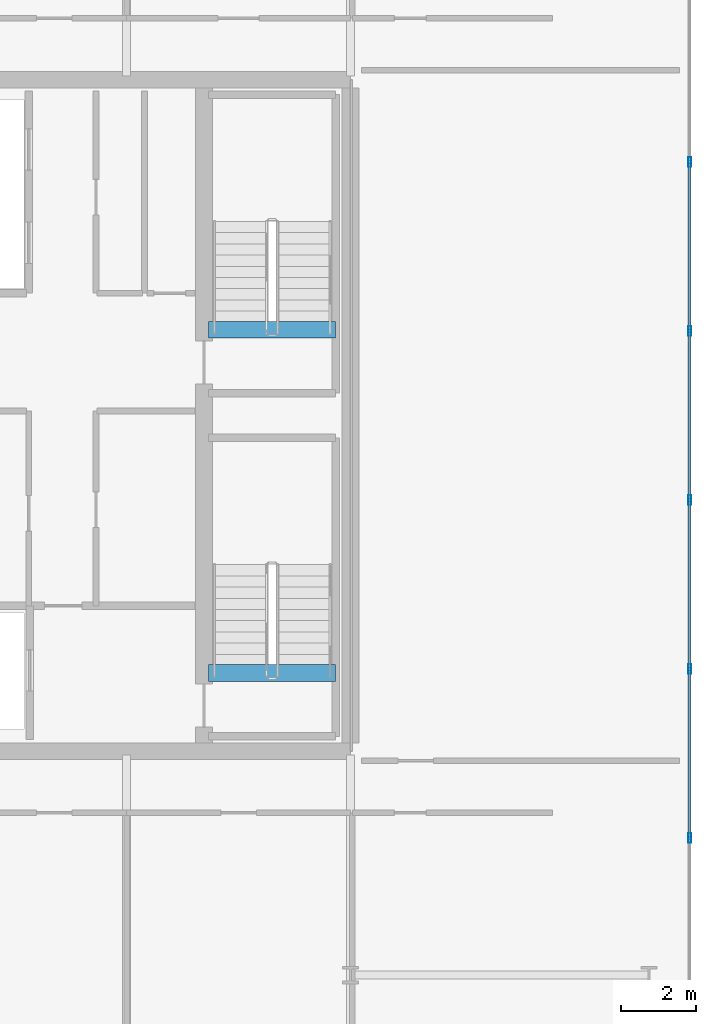
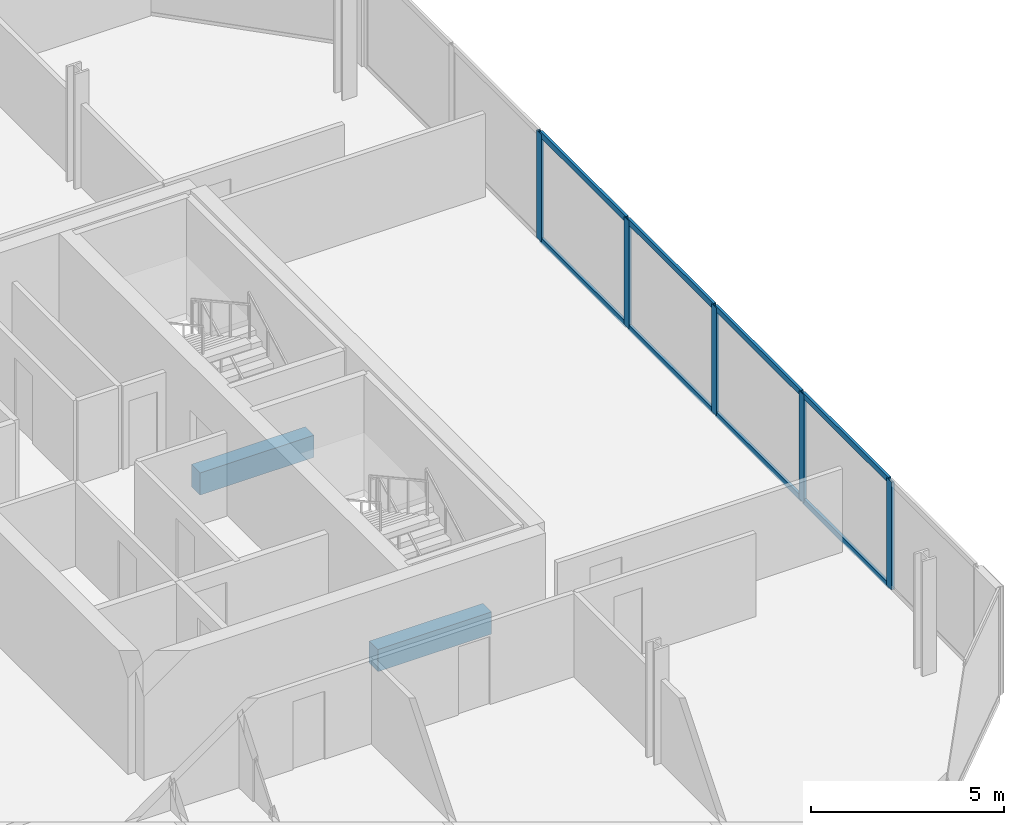
# One storey, part 10 of 19: 13 members, 2 beams, 1 element without a shape of its own.
"""IFC4 building model written with IfcOpenShell, lengths in metres."""

from ifc_helpers import new_model, si_unit, direction, frame, origin, origin_2d, place, context, subcontext, project, spatial, rectangle, hollow_rectangle, extrude, material, layer, layer_set, material_profile, profile_set, type_object, element, aggregate, save


model = new_model("IFC4")

# Units and contexts
model_context = context("Model", 3, precision=1e-05, world=origin(), true_north=direction((0.0, 1.0)))
body_context = subcontext(model_context, "Body", "Model", "MODEL_VIEW")
ifc_project = project(units=[si_unit("LENGTHUNIT", "METRE"), si_unit("AREAUNIT", "SQUARE_METRE"), si_unit("VOLUMEUNIT", "CUBIC_METRE"), si_unit("PLANEANGLEUNIT", "RADIAN"), si_unit("MASSUNIT", "GRAM", prefix="KILO")], contexts=[model_context])

# Site, building, storey
site_placement = place(None, origin())
site = spatial("IfcSite", under=ifc_project, at=site_placement, CompositionType="ELEMENT")
building_placement = place(site_placement, origin())
building = spatial("IfcBuilding", under=site, at=building_placement, Name="Tanjung Sevakor Pilgrim Tower", CompositionType="ELEMENT")
storey_placement = place(building_placement, frame((0.0, 0.0, 260.699951171875)))
storey = spatial("IfcBuildingStorey", under=building, at=storey_placement, Name="L73", CompositionType="ELEMENT", Elevation=260.699951171875)

# Beams
ifc_material_1 = material(Name="Concrete C60/75", Category="concrete")
ifc_material_profile_1 = material_profile(ifc_material_1, rectangle(XDim=0.449951171875, YDim=0.699951171875, at=origin_2d()))
ifc_profile_set_1 = profile_set([ifc_material_profile_1], Name="Concrete C60/75")
beam_type = type_object("IfcBeamType", Name="BM-B-LN3-RC-BM_450x700", PredefinedType="LINTEL", material=ifc_profile_set_1)
for number, where, z_axis, x_axis, name in (
    (1, (86.199951171875, 26.699951171875, -0.349853515625), (1.0, 0.0, 0.0), (0.0, 1.0, 0.0), "L73 TS-E1 Stair Threshold Beam"),
    (2, (86.199951171875, 35.89990234375, -0.349853515625), (1.0, 0.0, 0.0), (0.0, 1.0, 0.0), "L73 TS-E2 Stair Threshold Beam"),
):
    element("IfcBeam", number, at=place(storey_placement, frame(where, z_axis=z_axis, x_axis=x_axis)), inside=storey, type_object=beam_type, Name=name, PredefinedType="LINTEL", context=body_context, shape_type="SweptSolid", body=[
        extrude(rectangle(XDim=0.449951171875, YDim=0.699951171875, at=origin_2d()), origin(), (0.0, 0.0, 1.0), 3.400146484375),
    ])

# Curtain wall, members
ifc_material_2 = material(Name="Aluminium 6063-T6 and Low-E Glass", Category="aluminium")
ifc_layer = layer(ifc_material_2, 0.219970703125)
ifc_layer_set = layer_set([ifc_layer], Name="CW-SYS-CRNE")
curtain_wall_type = type_object("IfcCurtainWallType", Name="CW-SYS-CRNE", PredefinedType="NOTDEFINED", material=ifc_layer_set)
curtain_wall_placement = place(storey_placement, origin())
curtain_wall = element("IfcCurtainWall", 3, at=curtain_wall_placement, inside=storey, type_object=curtain_wall_type, Name="L73 Curtain Wall CW-CRN-L73-EAST-2-1", PredefinedType="NOTDEFINED")
ifc_material_3 = material(Name="Aluminium 6063-T6", Category="aluminium")
ifc_material_profile_2 = material_profile(ifc_material_3, hollow_rectangle(XDim=0.080078125, YDim=0.260009765625, WallThickness=0.0048828125, at=origin_2d()))
ifc_profile_set_2 = profile_set([ifc_material_profile_2], Name="Aluminium 6063-T6")
member_type_1 = type_object("IfcMemberType", Name="TYPE-CWM-3", PredefinedType="MULLION", material=ifc_profile_set_2)
member_1_placement = place(storey_placement, frame((99.090087890625, 22.275390625, 0.0), z_axis=(0.0, 0.0, 1.0), x_axis=(-1.0, 0.0, 0.0)))
member_1 = element("IfcMember", 4, at=member_1_placement, type_object=member_type_1, Name="CW-CRE mullion 2", PredefinedType="MULLION", context=body_context, shape_type="SweptSolid", body=[
    extrude(hollow_rectangle(XDim=0.080078125, YDim=0.260009765625, WallThickness=0.0048828125, at=origin_2d()), origin(), (0.0, 0.0, 1.0), 3.41015625),
])
member_2_placement = place(storey_placement, frame((99.090087890625, 26.80517578125, 0.0), z_axis=(0.0, 0.0, 1.0), x_axis=(-1.0, 0.0, 0.0)))
member_2 = element("IfcMember", 5, at=member_2_placement, type_object=member_type_1, Name="CW-CRE mullion 3", PredefinedType="MULLION", context=body_context, shape_type="SweptSolid", body=[
    extrude(hollow_rectangle(XDim=0.080078125, YDim=0.260009765625, WallThickness=0.0048828125, at=origin_2d()), origin(), (0.0, 0.0, 1.0), 3.41015625),
])
member_3_placement = place(storey_placement, frame((99.090087890625, 31.335205078125, 0.0), z_axis=(0.0, 0.0, 1.0), x_axis=(-1.0, 0.0, 0.0)))
member_3 = element("IfcMember", 6, at=member_3_placement, type_object=member_type_1, Name="CW-CRE mullion 4", PredefinedType="MULLION", context=body_context, shape_type="SweptSolid", body=[
    extrude(hollow_rectangle(XDim=0.080078125, YDim=0.260009765625, WallThickness=0.0048828125, at=origin_2d()), origin(), (0.0, 0.0, 1.0), 3.41015625),
])
member_4_placement = place(storey_placement, frame((99.090087890625, 35.864990234375, 0.0), z_axis=(0.0, 0.0, 1.0), x_axis=(-1.0, 0.0, 0.0)))
member_4 = element("IfcMember", 7, at=member_4_placement, type_object=member_type_1, Name="CW-CRE mullion 5", PredefinedType="MULLION", context=body_context, shape_type="SweptSolid", body=[
    extrude(hollow_rectangle(XDim=0.080078125, YDim=0.260009765625, WallThickness=0.0048828125, at=origin_2d()), origin(), (0.0, 0.0, 1.0), 3.41015625),
])
member_5_placement = place(storey_placement, frame((99.090087890625, 40.394775390625, 0.0), z_axis=(0.0, 0.0, 1.0), x_axis=(-1.0, 0.0, 0.0)))
member_5 = element("IfcMember", 8, at=member_5_placement, type_object=member_type_1, Name="CW-CRE mullion 6", PredefinedType="MULLION", context=body_context, shape_type="SweptSolid", body=[
    extrude(hollow_rectangle(XDim=0.080078125, YDim=0.260009765625, WallThickness=0.0048828125, at=origin_2d()), origin(), (0.0, 0.0, 1.0), 3.41015625),
])
ifc_material_4 = material(Name="Aluminium 6063-T6", Category="aluminium")
ifc_material_profile_3 = material_profile(ifc_material_4, hollow_rectangle(XDim=0.080078125, YDim=0.179931640625, WallThickness=0.0048828125, at=origin_2d()))
ifc_profile_set_3 = profile_set([ifc_material_profile_3], Name="Aluminium 6063-T6")
member_type_2 = type_object("IfcMemberType", Name="TYPE-CWT-3", PredefinedType="USERDEFINED", material=ifc_profile_set_3)
member_6_placement = place(storey_placement, frame((99.090087890625, 22.3154296875, 0.0400390625), z_axis=(0.0, 1.0, 0.0), x_axis=(-1.0, 0.0, 0.0)))
member_6 = element("IfcMember", 9, at=member_6_placement, type_object=member_type_2, Name="CW-CRE transom 2.1", ObjectType="TRANSOM", PredefinedType="USERDEFINED", context=body_context, shape_type="SweptSolid", body=[
    extrude(hollow_rectangle(XDim=0.080078125, YDim=0.179931640625, WallThickness=0.0048828125, at=origin_2d()), origin(), (0.0, 0.0, 1.0), 4.44970703125),
])
member_7_placement = place(storey_placement, frame((99.090087890625, 22.3154296875, 3.3701171875), z_axis=(0.0, 1.0, 0.0), x_axis=(-1.0, 0.0, 0.0)))
member_7 = element("IfcMember", 10, at=member_7_placement, type_object=member_type_2, Name="CW-CRE transom 2.2", ObjectType="TRANSOM", PredefinedType="USERDEFINED", context=body_context, shape_type="SweptSolid", body=[
    extrude(hollow_rectangle(XDim=0.080078125, YDim=0.179931640625, WallThickness=0.0048828125, at=origin_2d()), origin(), (0.0, 0.0, 1.0), 4.44970703125),
])
member_8_placement = place(storey_placement, frame((99.090087890625, 26.84521484375, 0.0400390625), z_axis=(0.0, 1.0, 0.0), x_axis=(-1.0, 0.0, 0.0)))
member_8 = element("IfcMember", 11, at=member_8_placement, type_object=member_type_2, Name="CW-CRE transom 3.1", ObjectType="TRANSOM", PredefinedType="USERDEFINED", context=body_context, shape_type="SweptSolid", body=[
    extrude(hollow_rectangle(XDim=0.080078125, YDim=0.179931640625, WallThickness=0.0048828125, at=origin_2d()), origin(), (0.0, 0.0, 1.0), 4.449951171875),
])
member_9_placement = place(storey_placement, frame((99.090087890625, 26.84521484375, 3.3701171875), z_axis=(0.0, 1.0, 0.0), x_axis=(-1.0, 0.0, 0.0)))
member_9 = element("IfcMember", 12, at=member_9_placement, type_object=member_type_2, Name="CW-CRE transom 3.2", ObjectType="TRANSOM", PredefinedType="USERDEFINED", context=body_context, shape_type="SweptSolid", body=[
    extrude(hollow_rectangle(XDim=0.080078125, YDim=0.179931640625, WallThickness=0.0048828125, at=origin_2d()), origin(), (0.0, 0.0, 1.0), 4.449951171875),
])
member_10_placement = place(storey_placement, frame((99.090087890625, 31.375, 0.0400390625), z_axis=(0.0, 1.0, 0.0), x_axis=(-1.0, 0.0, 0.0)))
member_10 = element("IfcMember", 13, at=member_10_placement, type_object=member_type_2, Name="CW-CRE transom 4.1", ObjectType="TRANSOM", PredefinedType="USERDEFINED", context=body_context, shape_type="SweptSolid", body=[
    extrude(hollow_rectangle(XDim=0.080078125, YDim=0.179931640625, WallThickness=0.0048828125, at=origin_2d()), origin(), (0.0, 0.0, 1.0), 4.449951171875),
])
member_11_placement = place(storey_placement, frame((99.090087890625, 31.375, 3.3701171875), z_axis=(0.0, 1.0, 0.0), x_axis=(-1.0, 0.0, 0.0)))
member_11 = element("IfcMember", 14, at=member_11_placement, type_object=member_type_2, Name="CW-CRE transom 4.2", ObjectType="TRANSOM", PredefinedType="USERDEFINED", context=body_context, shape_type="SweptSolid", body=[
    extrude(hollow_rectangle(XDim=0.080078125, YDim=0.179931640625, WallThickness=0.0048828125, at=origin_2d()), origin(), (0.0, 0.0, 1.0), 4.449951171875),
])
member_12_placement = place(storey_placement, frame((99.090087890625, 35.905029296875, 0.0400390625), z_axis=(0.0, 1.0, 0.0), x_axis=(-1.0, 0.0, 0.0)))
member_12 = element("IfcMember", 15, at=member_12_placement, type_object=member_type_2, Name="CW-CRE transom 5.1", ObjectType="TRANSOM", PredefinedType="USERDEFINED", context=body_context, shape_type="SweptSolid", body=[
    extrude(hollow_rectangle(XDim=0.080078125, YDim=0.179931640625, WallThickness=0.0048828125, at=origin_2d()), origin(), (0.0, 0.0, 1.0), 4.44970703125),
])
member_13_placement = place(storey_placement, frame((99.090087890625, 35.905029296875, 3.3701171875), z_axis=(0.0, 1.0, 0.0), x_axis=(-1.0, 0.0, 0.0)))
member_13 = element("IfcMember", 16, at=member_13_placement, type_object=member_type_2, Name="CW-CRE transom 5.2", ObjectType="TRANSOM", PredefinedType="USERDEFINED", context=body_context, shape_type="SweptSolid", body=[
    extrude(hollow_rectangle(XDim=0.080078125, YDim=0.179931640625, WallThickness=0.0048828125, at=origin_2d()), origin(), (0.0, 0.0, 1.0), 4.44970703125),
])
aggregate(curtain_wall, [member_1, member_2, member_3, member_4, member_5, member_6, member_7, member_8, member_9, member_10, member_11, member_12, member_13])

save(model, "model.ifc")
